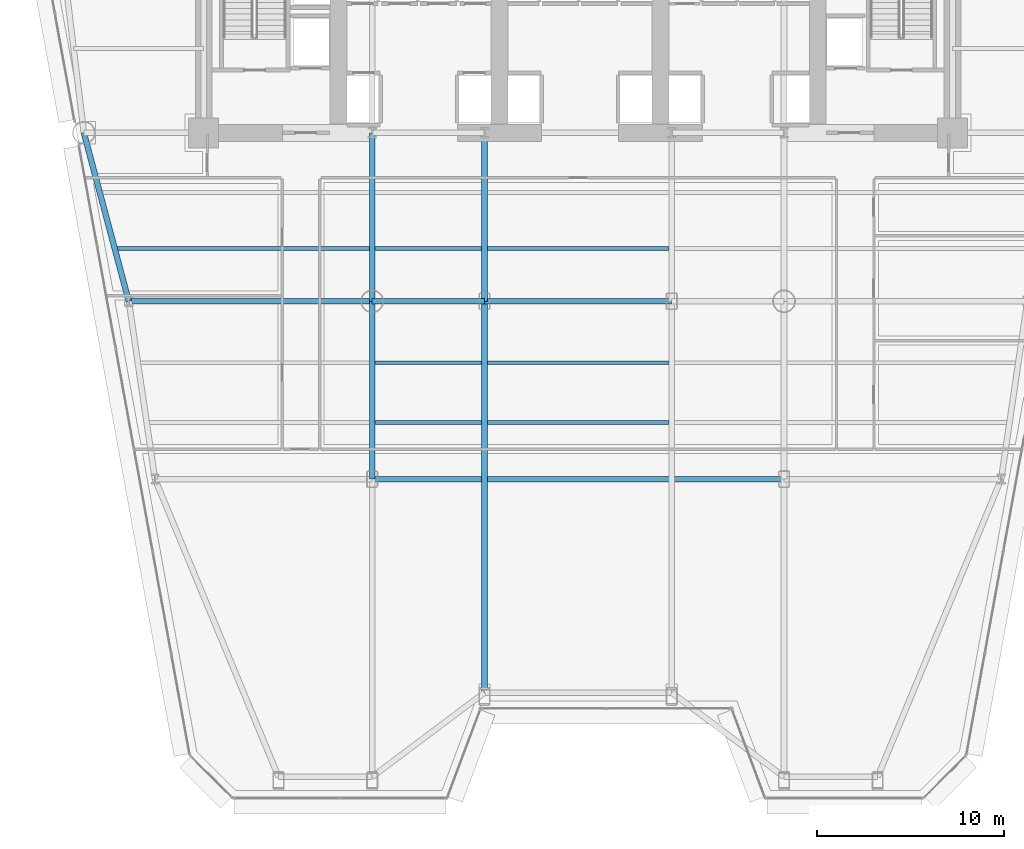
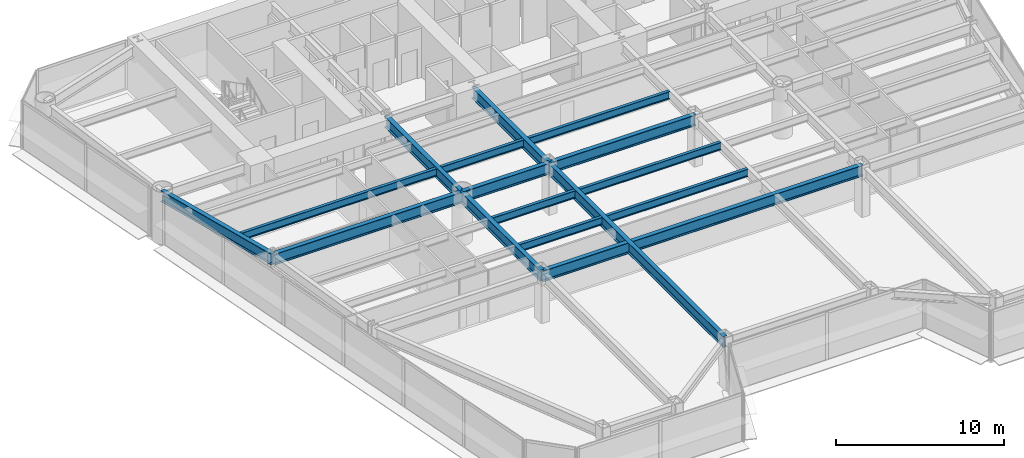
# One storey, part 3 of 14: 16 beams.
"""IFC4 building model written with IfcOpenShell, lengths in metres."""

from ifc_helpers import new_model, si_unit, direction, frame, origin, origin_2d, place, context, subcontext, project, spatial, i_section, extrude, source, transform, mapped, material, material_profile, profile_set, type_object, element, save


model = new_model("IFC4")

# Units and contexts
model_context = context("Model", 3, precision=1e-05, world=origin(), true_north=direction((0.0, 1.0)))
body_context = subcontext(model_context, "Body", "Model", "MODEL_VIEW")
ifc_project = project(units=[si_unit("LENGTHUNIT", "METRE"), si_unit("AREAUNIT", "SQUARE_METRE"), si_unit("VOLUMEUNIT", "CUBIC_METRE"), si_unit("PLANEANGLEUNIT", "RADIAN"), si_unit("MASSUNIT", "GRAM", prefix="KILO")], contexts=[model_context])

# Site, building, storey
site_placement = place(None, origin())
site = spatial("IfcSite", under=ifc_project, at=site_placement, CompositionType="ELEMENT")
building_placement = place(site_placement, origin())
building = spatial("IfcBuilding", under=site, at=building_placement, Name="Vaeldorn Concourse Tower", CompositionType="ELEMENT")
storey_placement = place(building_placement, frame((0.0, 0.0, 34.0)))
storey = spatial("IfcBuildingStorey", under=building, at=storey_placement, Name="L08", CompositionType="ELEMENT", Elevation=34.0)

# Beams
ifc_material = material(Name="Steel S355", Category="steel")
ifc_material_profile_1 = material_profile(ifc_material, i_section(OverallWidth=0.300048828125, OverallDepth=0.800048828125, WebThickness=0.017578125, FlangeThickness=0.032958984375, FilletRadius=0.030029296875, at=origin_2d()), Name="HEB 800")
ifc_profile_set_1 = profile_set([ifc_material_profile_1], Name="Steel S355")
beam_type_1 = type_object("IfcBeamType", Name="BM-PG-HEB800", PredefinedType="BEAM", material=ifc_profile_set_1)
shared_shape_1 = source(origin(), body_context, "Body", "SweptSolid", [
    extrude(i_section(OverallWidth=0.300048828125, OverallDepth=0.800048828125, WebThickness=0.017578125, FlangeThickness=0.032958984375, FilletRadius=0.030029296875, at=origin_2d()), origin(), (0.0, 0.0, 1.0), 6.0),
])
beam_1_placement = place(storey_placement, frame((23.0, 27.5, 3.179931640625), z_axis=(1.0, 0.0, 0.0), x_axis=(0.0, 1.0, 0.0)))
element("IfcBeam", 1, at=beam_1_placement, inside=storey, type_object=beam_type_1, Name="Beam BM-L08-C-TW1-C-TW2", PredefinedType="BEAM", context=body_context, shape_type="MappedRepresentation", body=[
    mapped(shared_shape_1, transform((0.0, 0.0, 0.0), scale=1.0)),
])
shared_shape_2 = source(origin(), body_context, "Body", "SweptSolid", [
    extrude(i_section(OverallWidth=0.300048828125, OverallDepth=0.800048828125, WebThickness=0.017578125, FlangeThickness=0.032958984375, FilletRadius=0.030029296875, at=origin_2d()), origin(), (0.0, 0.0, 1.0), 10.0),
])
beam_2_placement = place(storey_placement, frame((29.0, 27.5, 3.179931640625), z_axis=(1.0, 0.0, 0.0), x_axis=(0.0, 1.0, 0.0)))
element("IfcBeam", 2, at=beam_2_placement, inside=storey, type_object=beam_type_1, Name="Beam BM-L08-C-TW2-C-TW3", PredefinedType="BEAM", context=body_context, shape_type="MappedRepresentation", body=[
    mapped(shared_shape_2, transform((0.0, 0.0, 0.0), scale=1.0)),
])
shared_shape_3 = source(origin(), body_context, "Body", "SweptSolid", [
    extrude(i_section(OverallWidth=0.300048828125, OverallDepth=0.800048828125, WebThickness=0.017578125, FlangeThickness=0.032958984375, FilletRadius=0.030029296875, at=origin_2d()), origin(), (0.0, 0.0, 1.0), 9.0),
])
for number, where, z_axis, x_axis, name in (
    (3, (23.0, 27.5, 3.179931640625), (0.0, 1.0, 0.0), (-1.0, 0.0, 0.0), "Beam BM-L08-C-TW1-C-FC2"),
    (4, (29.0, 27.5, 3.179931640625), (0.0, 1.0, 0.0), (-1.0, 0.0, 0.0), "Beam BM-L08-C-TW2-C-FC3"),
):
    element("IfcBeam", number, at=place(storey_placement, frame(where, z_axis=z_axis, x_axis=x_axis)), inside=storey, type_object=beam_type_1, Name=name, PredefinedType="BEAM", context=body_context, shape_type="MappedRepresentation", body=[
        mapped(shared_shape_3, transform((0.0, 0.0, 0.0), scale=1.0)),
    ])
shared_shape_4 = source(origin(), body_context, "Body", "SweptSolid", [
    extrude(i_section(OverallWidth=0.300048828125, OverallDepth=0.800048828125, WebThickness=0.017578125, FlangeThickness=0.032958984375, FilletRadius=0.030029296875, at=origin_2d()), origin(), (0.0, 0.0, 1.0), 9.314453125),
])
beam_3_placement = place(storey_placement, frame((7.60009765625, 36.5, 3.179931640625), z_axis=(0.257652862255, -0.966237549763, 0.0), x_axis=(0.966237549763, 0.257652862255, 0.0)))
element("IfcBeam", 5, at=beam_3_placement, inside=storey, type_object=beam_type_1, Name="Beam BM-L08-C-NW2-C-FLW1", PredefinedType="BEAM", context=body_context, shape_type="MappedRepresentation", body=[
    mapped(shared_shape_4, transform((0.0, 0.0, 0.0), scale=1.0)),
])
shared_shape_5 = source(origin(), body_context, "Body", "SweptSolid", [
    extrude(i_section(OverallWidth=0.300048828125, OverallDepth=0.800048828125, WebThickness=0.017578125, FlangeThickness=0.032958984375, FilletRadius=0.030029296875, at=origin_2d()), origin(), (0.0, 0.0, 1.0), 13.0),
])
beam_4_placement = place(storey_placement, frame((10.0, 27.5, 3.179931640625), z_axis=(1.0, 0.0, 0.0), x_axis=(0.0, 1.0, 0.0)))
element("IfcBeam", 6, at=beam_4_placement, inside=storey, type_object=beam_type_1, Name="Beam BM-L08-C-FLW1-C-TW1", PredefinedType="BEAM", context=body_context, shape_type="MappedRepresentation", body=[
    mapped(shared_shape_5, transform((0.0, 0.0, 0.0), scale=1.0)),
])
shared_shape_6 = source(origin(), body_context, "Body", "SweptSolid", [
    extrude(i_section(OverallWidth=0.300048828125, OverallDepth=0.800048828125, WebThickness=0.017578125, FlangeThickness=0.032958984375, FilletRadius=0.030029296875, at=origin_2d()), origin(), (0.0, 0.0, 1.0), 22.0),
])
beam_5_placement = place(storey_placement, frame((23.0, 18.0, 3.179931640625), z_axis=(1.0, 0.0, 0.0), x_axis=(0.0, 1.0, 0.0)))
element("IfcBeam", 7, at=beam_5_placement, inside=storey, type_object=beam_type_1, Name="Beam BM-L08-C-TW5-C-TW6", PredefinedType="BEAM", context=body_context, shape_type="MappedRepresentation", body=[
    mapped(shared_shape_6, transform((0.0, 0.0, 0.0), scale=1.0)),
])
shared_shape_7 = source(origin(), body_context, "Body", "SweptSolid", [
    extrude(i_section(OverallWidth=0.300048828125, OverallDepth=0.800048828125, WebThickness=0.017578125, FlangeThickness=0.032958984375, FilletRadius=0.030029296875, at=origin_2d()), origin(), (0.0, 0.0, 1.0), 9.5),
])
beam_6_placement = place(storey_placement, frame((23.0, 18.0, 3.179931640625), z_axis=(0.0, 1.0, 0.0), x_axis=(-1.0, 0.0, 0.0)))
element("IfcBeam", 8, at=beam_6_placement, inside=storey, type_object=beam_type_1, Name="Beam BM-L08-C-TW5-C-TW1", PredefinedType="BEAM", context=body_context, shape_type="MappedRepresentation", body=[
    mapped(shared_shape_7, transform((0.0, 0.0, 0.0), scale=1.0)),
])
ifc_material_profile_2 = material_profile(ifc_material, i_section(OverallWidth=0.2099609375, OverallDepth=0.550048828125, WebThickness=0.010986328125, FlangeThickness=0.01708984375, FilletRadius=0.02392578125, at=origin_2d()), Name="IPE 550")
ifc_profile_set_2 = profile_set([ifc_material_profile_2], Name="Steel S355")
beam_type_2 = type_object("IfcBeamType", Name="BM-JS-IPE550", PredefinedType="JOIST", material=ifc_profile_set_2)
shared_shape_8 = source(origin(), body_context, "Body", "SweptSolid", [
    extrude(i_section(OverallWidth=0.2099609375, OverallDepth=0.550048828125, WebThickness=0.010986328125, FlangeThickness=0.01708984375, FilletRadius=0.02392578125, at=origin_2d()), origin(), (0.0, 0.0, 1.0), 5.7001953125),
])
for number, where, z_axis, x_axis, name in (
    (9, (23.14990234375, 21.02001953125, 3.304931640625), (1.0, 0.0, 0.0), (0.0, 1.0, 0.0), "Beam JS-L08-W2-210"),
    (10, (23.14990234375, 24.219970703125, 3.304931640625), (1.0, 0.0, 0.0), (0.0, 1.0, 0.0), "Beam JS-L08-W2-242"),
    (11, (23.14990234375, 30.320068359375, 3.304931640625), (1.0, 0.0, 0.0), (0.0, 1.0, 0.0), "Beam JS-L08-W2-303"),
):
    element("IfcBeam", number, at=place(storey_placement, frame(where, z_axis=z_axis, x_axis=x_axis)), inside=storey, type_object=beam_type_2, Name=name, PredefinedType="JOIST", context=body_context, shape_type="MappedRepresentation", body=[
        mapped(shared_shape_8, transform((0.0, 0.0, 0.0), scale=1.0)),
    ])
shared_shape_9 = source(origin(), body_context, "Body", "SweptSolid", [
    extrude(i_section(OverallWidth=0.2099609375, OverallDepth=0.550048828125, WebThickness=0.010986328125, FlangeThickness=0.01708984375, FilletRadius=0.02392578125, at=origin_2d()), origin(), (0.0, 0.0, 1.0), 9.7001953125),
])
for number, where, z_axis, x_axis, name in (
    (12, (29.14990234375, 21.02001953125, 3.304931640625), (1.0, 0.0, 0.0), (0.0, 1.0, 0.0), "Beam JS-L08-C-210"),
    (13, (29.14990234375, 24.219970703125, 3.304931640625), (1.0, 0.0, 0.0), (0.0, 1.0, 0.0), "Beam JS-L08-C-242"),
    (14, (29.14990234375, 30.320068359375, 3.304931640625), (1.0, 0.0, 0.0), (0.0, 1.0, 0.0), "Beam JS-L08-C-303"),
):
    element("IfcBeam", number, at=place(storey_placement, frame(where, z_axis=z_axis, x_axis=x_axis)), inside=storey, type_object=beam_type_2, Name=name, PredefinedType="JOIST", context=body_context, shape_type="MappedRepresentation", body=[
        mapped(shared_shape_9, transform((0.0, 0.0, 0.0), scale=1.0)),
    ])
shared_shape_10 = source(origin(), body_context, "Body", "SweptSolid", [
    extrude(i_section(OverallWidth=0.300048828125, OverallDepth=0.800048828125, WebThickness=0.017578125, FlangeThickness=0.032958984375, FilletRadius=0.030029296875, at=origin_2d()), origin(), (0.0, 0.0, 1.0), 20.904541015625),
])
beam_7_placement = place(storey_placement, frame((29.0, 6.595458984375, 3.179931640625), z_axis=(0.0, 1.0, 0.0), x_axis=(-1.0, 0.0, 0.0)))
element("IfcBeam", 15, at=beam_7_placement, inside=storey, type_object=beam_type_1, Name="Beam BM-L08-C-SF3-C-TW2", PredefinedType="BEAM", context=body_context, shape_type="MappedRepresentation", body=[
    mapped(shared_shape_10, transform((0.0, 0.0, 0.0), scale=1.0)),
])
shared_shape_11 = source(origin(), body_context, "Body", "SweptSolid", [
    extrude(i_section(OverallWidth=0.2099609375, OverallDepth=0.550048828125, WebThickness=0.010986328125, FlangeThickness=0.01708984375, FilletRadius=0.02392578125, at=origin_2d()), origin(), (0.0, 0.0, 1.0), 13.4521484375),
])
beam_8_placement = place(storey_placement, frame((9.39794921875, 30.320068359375, 3.304931640625), z_axis=(1.0, 0.0, 0.0), x_axis=(0.0, 1.0, 0.0)))
element("IfcBeam", 16, at=beam_8_placement, inside=storey, type_object=beam_type_2, Name="Beam JS-L08-W1-303", PredefinedType="JOIST", context=body_context, shape_type="MappedRepresentation", body=[
    mapped(shared_shape_11, transform((0.0, 0.0, 0.0), scale=1.0)),
])

save(model, "model.ifc")
